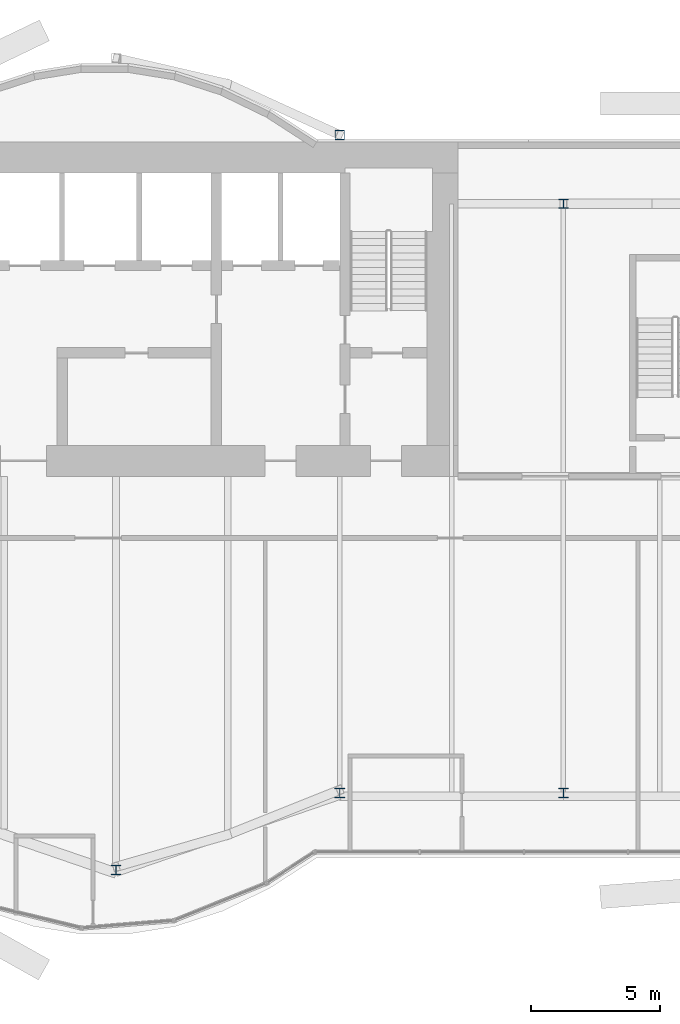
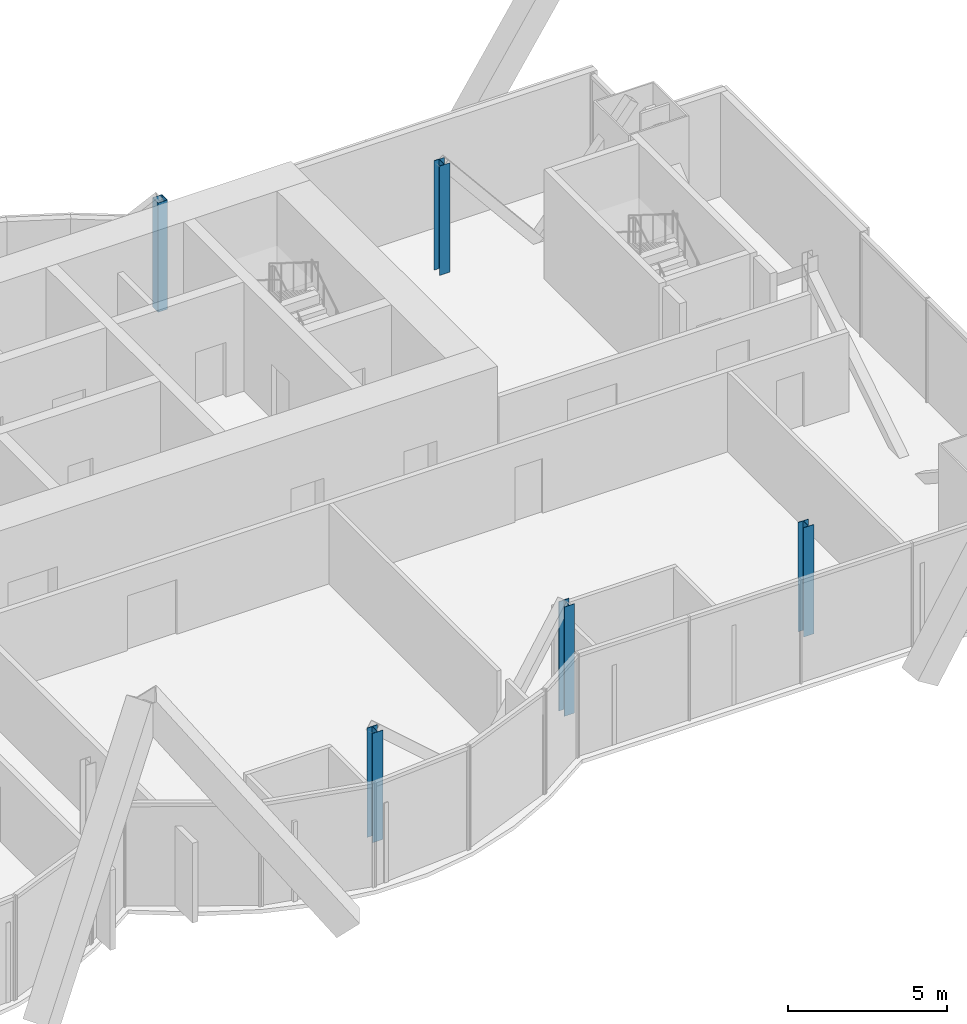
# One storey, part 2 of 19: 5 columns.
"""IFC4 building model written with IfcOpenShell, lengths in metres."""

from ifc_helpers import new_model, si_unit, direction, frame, origin, origin_2d, place, context, subcontext, project, spatial, hollow_rectangle, i_section, extrude, material, material_profile, profile_set, type_object, element, save


model = new_model("IFC4")

# Units and contexts
model_context = context("Model", 3, precision=1e-05, world=origin(), true_north=direction((0.0, 1.0)))
body_context = subcontext(model_context, "Body", "Model", "MODEL_VIEW")
ifc_project = project(units=[si_unit("LENGTHUNIT", "METRE"), si_unit("AREAUNIT", "SQUARE_METRE"), si_unit("VOLUMEUNIT", "CUBIC_METRE"), si_unit("PLANEANGLEUNIT", "RADIAN"), si_unit("MASSUNIT", "GRAM", prefix="KILO")], contexts=[model_context])

# Site, building, storey
site_placement = place(None, origin())
site = spatial("IfcSite", under=ifc_project, at=site_placement, CompositionType="ELEMENT")
building_placement = place(site_placement, origin())
building = spatial("IfcBuilding", under=site, at=building_placement, Name="Bicima Exchange Tower", CompositionType="ELEMENT")
storey_placement = place(building_placement, frame((0.0, 0.0, 283.39990234375)))
storey = spatial("IfcBuildingStorey", under=building, at=storey_placement, Name="L64", CompositionType="ELEMENT", Elevation=283.39990234375)

# Columns
ifc_material_1 = material(Name="Steel ASTM A992 Gr 50", Category="steel")
ifc_material_profile_1 = material_profile(ifc_material_1, i_section(OverallWidth=0.370849609375, OverallDepth=0.36328125, WebThickness=0.013427734375, FlangeThickness=0.021728515625, at=origin_2d()))
ifc_profile_set_1 = profile_set([ifc_material_profile_1], Name="Steel ASTM A992 Gr 50")
column_type_1 = type_object("IfcColumnType", Name="Perimeter column W14x109", PredefinedType="COLUMN", material=ifc_profile_set_1)
for number, where, z_axis, x_axis, name in (
    (1, (8.699951171875, -28.317138671875, 0.0), (0.0, 0.0, 1.0), (1.0, 0.0, 0.0), "Perimeter column grav+8.7f"),
    (2, (17.39990234375, -25.325927734375, 0.0), (0.0, 0.0, 1.0), (1.0, 0.0, 0.0), "Perimeter column grav+17.4f"),
    (3, (26.10009765625, -25.325927734375, 0.0), (0.0, 0.0, 1.0), (1.0, 0.0, 0.0), "Perimeter column grav+26.1f"),
    (4, (26.10009765625, -2.39990234375, 0.0), (0.0, 0.0, 1.0), (1.0, 0.0, 0.0), "Perimeter column grav+26.1r"),
):
    element("IfcColumn", number, at=place(storey_placement, frame(where, z_axis=z_axis, x_axis=x_axis)), inside=storey, type_object=column_type_1, Name=name, PredefinedType="COLUMN", context=body_context, shape_type="SweptSolid", body=[
        extrude(i_section(OverallWidth=0.370849609375, OverallDepth=0.36328125, WebThickness=0.013427734375, FlangeThickness=0.021728515625, at=origin_2d()), origin(), (0.0, 0.0, 1.0), 4.2001953125),
    ])
ifc_material_2 = material(Name="Steel ASTM A572 Gr 50", Category="steel")
ifc_material_profile_2 = material_profile(ifc_material_2, hollow_rectangle(XDim=0.355712890625, YDim=0.355712890625, WallThickness=0.01171875, at=origin_2d()))
ifc_profile_set_2 = profile_set([ifc_material_profile_2], Name="Steel ASTM A572 Gr 50")
column_type_2 = type_object("IfcColumnType", Name="Rear pilaster HSS14x14x1/2", PredefinedType="COLUMN", material=ifc_profile_set_2)
column_placement = place(storey_placement, frame((17.39990234375, 0.278076171875, 0.0), z_axis=(0.0, 0.0, 1.0), x_axis=(1.0, 0.0, 0.0)))
element("IfcColumn", 5, at=column_placement, inside=storey, type_object=column_type_2, Name="Rear pilaster rexo+17.4r", PredefinedType="COLUMN", context=body_context, shape_type="SweptSolid", body=[
    extrude(hollow_rectangle(XDim=0.355712890625, YDim=0.355712890625, WallThickness=0.01171875, at=origin_2d()), origin(), (0.0, 0.0, 1.0), 4.2001953125),
])

save(model, "model.ifc")
